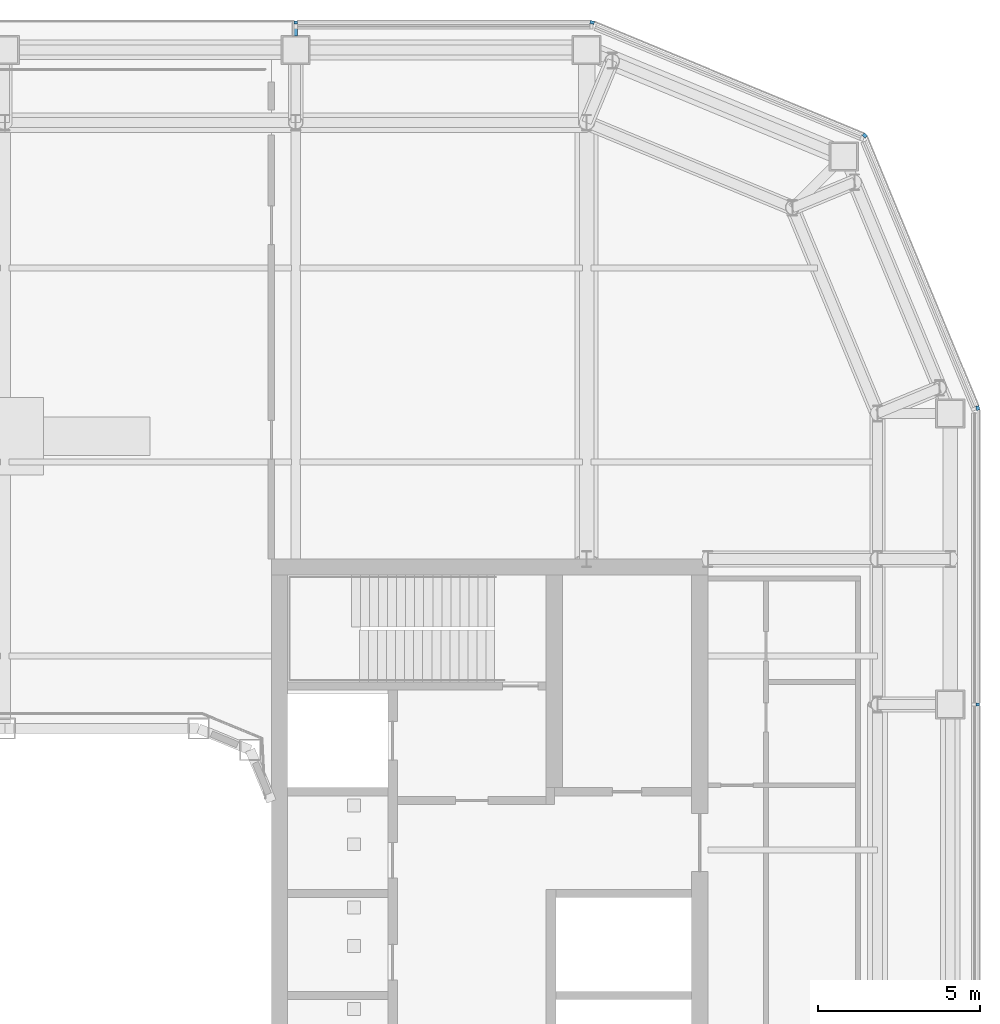
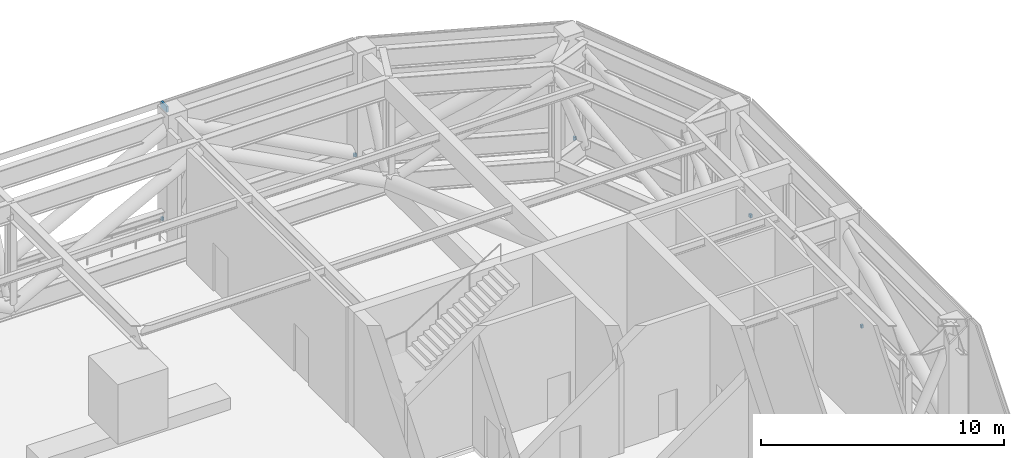
# One storey, part 18 of 22: 6 discrete accessories.
"""IFC4 building model written with IfcOpenShell, lengths in metres."""

from ifc_helpers import new_model, si_unit, direction, frame, origin, origin_2d, place, context, subcontext, project, spatial, rectangle, extrude, material, type_object, element, save


model = new_model("IFC4")

# Units and contexts
model_context = context("Model", 3, precision=1e-05, world=origin(), true_north=direction((0.0, 1.0)))
body_context = subcontext(model_context, "Body", "Model", "MODEL_VIEW")
ifc_project = project(units=[si_unit("LENGTHUNIT", "METRE"), si_unit("AREAUNIT", "SQUARE_METRE"), si_unit("VOLUMEUNIT", "CUBIC_METRE"), si_unit("PLANEANGLEUNIT", "RADIAN"), si_unit("MASSUNIT", "GRAM", prefix="KILO")], contexts=[model_context])

# Site, building, storey
site_placement = place(None, origin())
site = spatial("IfcSite", under=ifc_project, at=site_placement, CompositionType="ELEMENT")
building_placement = place(site_placement, origin())
building = spatial("IfcBuilding", under=site, at=building_placement, Name="Siwar Civic Tower", CompositionType="ELEMENT")
storey_placement = place(building_placement, frame((0.0, 0.0, 181.199951171875)))
storey = spatial("IfcBuildingStorey", under=building, at=storey_placement, Name="L39", CompositionType="ELEMENT", Elevation=181.199951171875)

# Discrete accessories
ifc_material = material(Name="Stainless steel 316", Category="steel")
discrete_accessory_type = type_object("IfcDiscreteAccessoryType", Name="ENV-BRACKET", PredefinedType="BRACKET", material=ifc_material)
for number, where, z_axis, x_axis, name in (
    (1, (30.10009765625, 9.0, -0.1796875), (0.0, 0.0, 1.0), (1.0, 0.0, 0.0), "Bracket outer skin joint E-03"),
    (2, (9.0, 30.10009765625, -0.1796875), (0.0, 0.0, 1.0), (0.0, 1.0, 0.0), "Bracket outer skin joint N-01"),
):
    element("IfcDiscreteAccessory", number, at=place(storey_placement, frame(where, z_axis=z_axis, x_axis=x_axis)), inside=storey, type_object=discrete_accessory_type, Name=name, PredefinedType="BRACKET", context=body_context, shape_type="SweptSolid", body=[
        extrude(rectangle(XDim=0.10009765625, YDim=0.10009765625, at=origin_2d()), origin(), (0.0, 0.0, 1.0), 0.159912109375),
    ])
discrete_accessory_1_placement = place(storey_placement, frame((30.10009765625, 18.169189453125, -0.1796875), z_axis=(0.0, 0.0, 1.0), x_axis=(0.980785280403, 0.195090322016, 0.0)))
element("IfcDiscreteAccessory", 3, at=discrete_accessory_1_placement, inside=storey, type_object=discrete_accessory_type, Name="Bracket outer skin joint V04", PredefinedType="BRACKET", context=body_context, shape_type="SweptSolid", body=[
    extrude(rectangle(XDim=0.10205078125, YDim=0.13720703125, at=origin_2d()), origin(), (0.0, 0.0, 1.0), 0.159912109375),
])
discrete_accessory_2_placement = place(storey_placement, frame((26.60546875, 26.60546875, -0.1796875), z_axis=(0.0, 0.0, 1.0), x_axis=(0.707106781187, 0.707106781187, 0.0)))
element("IfcDiscreteAccessory", 4, at=discrete_accessory_2_placement, inside=storey, type_object=discrete_accessory_type, Name="Bracket outer skin joint V05", PredefinedType="BRACKET", context=body_context, shape_type="SweptSolid", body=[
    extrude(rectangle(XDim=0.108154296875, YDim=0.12939453125, at=origin_2d()), origin(), (0.0, 0.0, 1.0), 0.159912109375),
])
discrete_accessory_3_placement = place(storey_placement, frame((18.169189453125, 30.10009765625, -0.1796875), z_axis=(0.0, 0.0, 1.0), x_axis=(0.195090322016, 0.980785280403, 0.0)))
element("IfcDiscreteAccessory", 5, at=discrete_accessory_3_placement, inside=storey, type_object=discrete_accessory_type, Name="Bracket outer skin joint V06", PredefinedType="BRACKET", context=body_context, shape_type="SweptSolid", body=[
    extrude(rectangle(XDim=0.10205078125, YDim=0.13720703125, at=origin_2d()), origin(), (0.0, 0.0, 1.0), 0.159912109375),
])
discrete_accessory_4_placement = place(storey_placement, frame((9.0, 29.9150390625, 5.5), z_axis=(0.0, 0.0, 1.0), x_axis=(0.0, 1.0, 0.0)))
element("IfcDiscreteAccessory", 6, at=discrete_accessory_4_placement, inside=storey, type_object=discrete_accessory_type, Name="Bracket portal frame N L39", PredefinedType="BRACKET", context=body_context, shape_type="SweptSolid", body=[
    extrude(rectangle(XDim=0.469970703125, YDim=0.10009765625, at=origin_2d()), origin(), (0.0, 0.0, 1.0), 0.300048828125),
])

save(model, "model.ifc")
